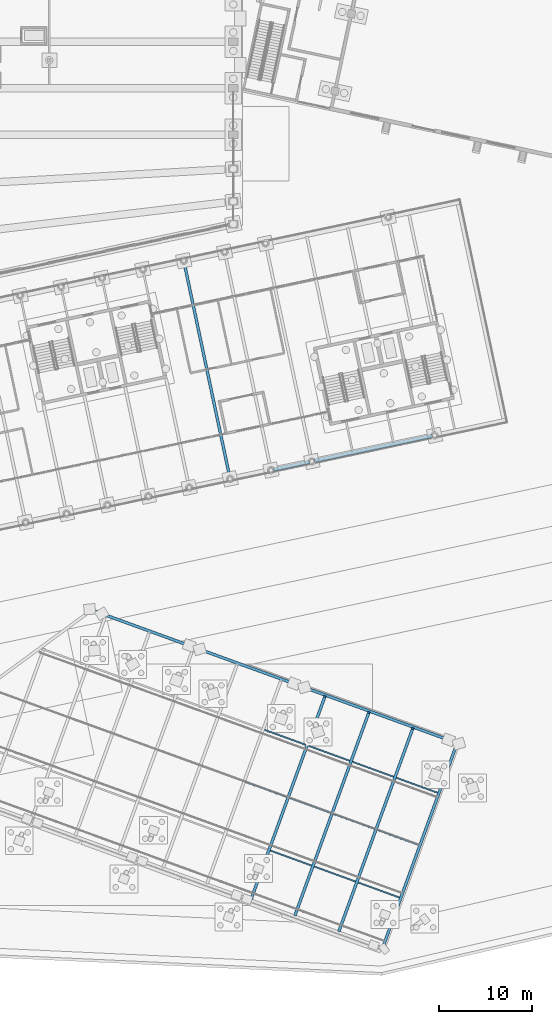
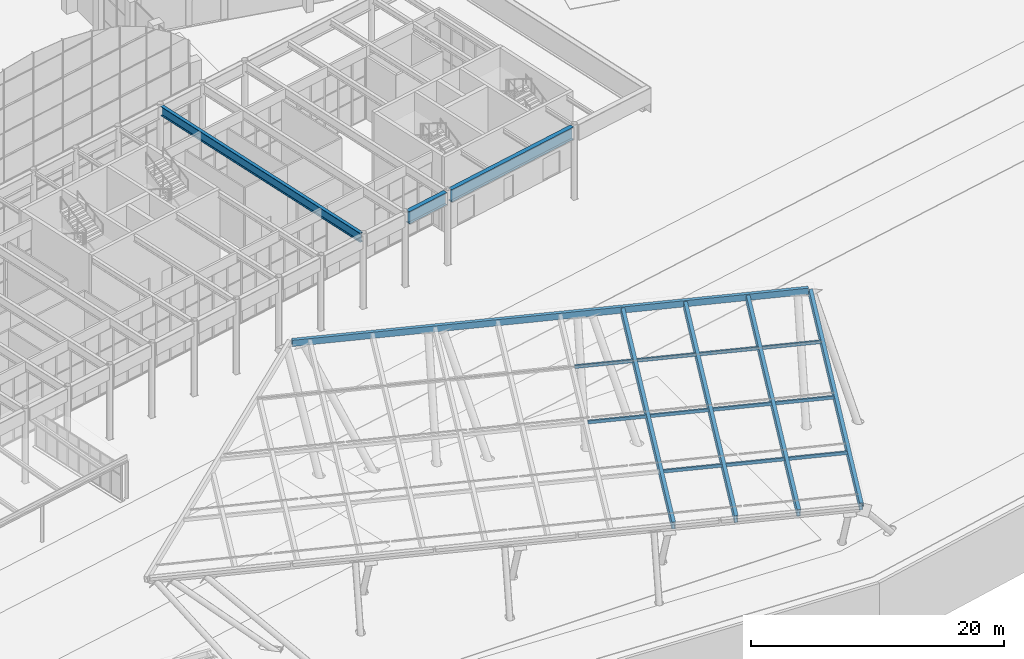
# One storey, part 97 of 239: 19 beams.
"""IFC4 building model written with IfcOpenShell, lengths in metres."""

from ifc_helpers import new_model, si_unit, direction, frame, origin, origin_2d, place, context, subcontext, project, spatial, hollow_rectangle, i_section, extrude, material, material_profile, profile_set, type_object, element, save


model = new_model("IFC4")

# Units and contexts
model_context = context("Model", 3, precision=1e-05, world=origin(), true_north=direction((0.0, 1.0)))
body_context = subcontext(model_context, "Body", "Model", "MODEL_VIEW")
ifc_project = project(units=[si_unit("LENGTHUNIT", "METRE"), si_unit("AREAUNIT", "SQUARE_METRE"), si_unit("VOLUMEUNIT", "CUBIC_METRE"), si_unit("PLANEANGLEUNIT", "RADIAN"), si_unit("MASSUNIT", "GRAM", prefix="KILO")], contexts=[model_context])

# Site, building, storey
site_placement = place(None, origin())
site = spatial("IfcSite", under=ifc_project, at=site_placement, CompositionType="ELEMENT")
building_placement = place(site_placement, origin())
building = spatial("IfcBuilding", under=site, at=building_placement, Name="Okhra Congress Centre", CompositionType="ELEMENT")
storey_placement = place(building_placement, origin())
storey = spatial("IfcBuildingStorey", under=building, at=storey_placement, Name="L00", CompositionType="ELEMENT", Elevation=0.0)

# Beams
ifc_material_1 = material(Name="Steel S355J2H", Category="steel")
ifc_material_profile_1 = material_profile(ifc_material_1, hollow_rectangle(XDim=0.300048828125, YDim=0.60009765625, WallThickness=0.01611328125, at=origin_2d()), Name="RHS 600x300x16")
ifc_profile_set_1 = profile_set([ifc_material_profile_1], Name="Steel S355J2H")
beam_type_1 = type_object("IfcBeamType", Name="Canopy edge beam RHS 600x300x16", PredefinedType="BEAM", material=ifc_profile_set_1)
beam_1_placement = place(storey_placement, frame((173.95556640625, 39.750244140625, 10.299560546875), z_axis=(0.939692228926, -0.342021219949, 0.0), x_axis=(0.342021219949, 0.939692228926, 0.0)))
element("IfcBeam", 1, at=beam_1_placement, inside=storey, type_object=beam_type_1, Name="Entrance canopy edge beam N", PredefinedType="BEAM", context=body_context, shape_type="SweptSolid", body=[
    extrude(hollow_rectangle(XDim=0.300048828125, YDim=0.60009765625, WallThickness=0.01611328125, at=origin_2d()), origin(), (0.0, 0.0, 1.0), 41.50634765625),
])
ifc_material_profile_2 = material_profile(ifc_material_1, hollow_rectangle(XDim=0.300048828125, YDim=0.800048828125, WallThickness=0.02001953125, at=origin_2d()), Name="RHS 800x300x20")
ifc_profile_set_2 = profile_set([ifc_material_profile_2], Name="Steel S355J2H")
beam_type_2 = type_object("IfcBeamType", Name="Canopy primary beam RHS 800x300x20", PredefinedType="BEAM", material=ifc_profile_set_2)
for number, where, z_axis, x_axis, name in (
    (2, (190.934814453125, 8.732421875, 5.47314453125), (0.335153265181, 0.920827738927, 0.199370419225), (-0.93969282501, 0.342019582225, 0.0), "Entrance canopy primary beam 8"),
    (3, (195.662109375, 7.01171875, 5.47314453125), (0.335153265181, 0.920827738927, 0.199370419225), (-0.93969282501, 0.342019582225, 0.0), "Entrance canopy primary beam 9"),
):
    element("IfcBeam", number, at=place(storey_placement, frame(where, z_axis=z_axis, x_axis=x_axis)), inside=storey, type_object=beam_type_2, Name=name, PredefinedType="BEAM", context=body_context, shape_type="SweptSolid", body=[
        extrude(hollow_rectangle(XDim=0.300048828125, YDim=0.800048828125, WallThickness=0.02001953125, at=origin_2d()), origin(), (0.0, 0.0, 1.0), 23.65478515625),
    ])
beam_2_placement = place(storey_placement, frame((200.3896484375, 5.291015625, 5.47314453125), z_axis=(0.335150079963, 0.920829308481, 0.199368524456), x_axis=(-0.939694057048, 0.342016197204, 0.0)))
element("IfcBeam", 4, at=beam_2_placement, inside=storey, type_object=beam_type_2, Name="Entrance canopy primary beam 10", PredefinedType="BEAM", context=body_context, shape_type="SweptSolid", body=[
    extrude(hollow_rectangle(XDim=0.300048828125, YDim=0.800048828125, WallThickness=0.02001953125, at=origin_2d()), origin(), (0.0, 0.0, 1.0), 23.655029296875),
])
beam_3_placement = place(storey_placement, frame((205.116943359375, 3.570556640625, 5.47314453125), z_axis=(0.335153265181, 0.920827738927, 0.199370419225), x_axis=(-0.93969282501, 0.342019582225, 0.0)))
element("IfcBeam", 5, at=beam_3_placement, inside=storey, type_object=beam_type_2, Name="Entrance canopy primary beam 11", PredefinedType="BEAM", context=body_context, shape_type="SweptSolid", body=[
    extrude(hollow_rectangle(XDim=0.300048828125, YDim=0.800048828125, WallThickness=0.02001953125, at=origin_2d()), origin(), (0.0, 0.0, 1.0), 23.65478515625),
])
ifc_material_profile_3 = material_profile(ifc_material_1, hollow_rectangle(XDim=0.14990234375, YDim=0.300048828125, WallThickness=0.008056640625, at=origin_2d()), Name="RHS 300x150x8")
ifc_profile_set_3 = profile_set([ifc_material_profile_3], Name="Steel S355J2H")
beam_type_3 = type_object("IfcBeamType", Name="Canopy secondary beam RHS 300x150x8", PredefinedType="BEAM", material=ifc_profile_set_3)
beam_4_placement = place(storey_placement, frame((192.9970703125, 13.930419921875, 6.853515625), z_axis=(0.939701086749, -0.341996882388, 0.0), x_axis=(0.341996882388, 0.939701086749, 0.0)))
element("IfcBeam", 6, at=beam_4_placement, inside=storey, type_object=beam_type_3, Name="Entrance canopy secondary beam 9", PredefinedType="BEAM", context=body_context, shape_type="SweptSolid", body=[
    extrude(hollow_rectangle(XDim=0.14990234375, YDim=0.300048828125, WallThickness=0.008056640625, at=origin_2d()), origin(), (0.0, 0.0, 1.0), 4.710693359375),
])
beam_5_placement = place(storey_placement, frame((197.724365234375, 12.2099609375, 6.853515625), z_axis=(0.939684430498, -0.342042645118, 0.0), x_axis=(0.342042645118, 0.939684430498, 0.0)))
element("IfcBeam", 7, at=beam_5_placement, inside=storey, type_object=beam_type_3, Name="Entrance canopy secondary beam 10", PredefinedType="BEAM", context=body_context, shape_type="SweptSolid", body=[
    extrude(hollow_rectangle(XDim=0.14990234375, YDim=0.300048828125, WallThickness=0.008056640625, at=origin_2d()), origin(), (0.0, 0.0, 1.0), 4.7109375),
])
beam_6_placement = place(storey_placement, frame((202.451904296875, 10.4892578125, 6.853515625), z_axis=(0.939695024692, -0.342013538577, 0.0), x_axis=(0.342013538577, 0.939695024692, 0.0)))
element("IfcBeam", 8, at=beam_6_placement, inside=storey, type_object=beam_type_3, Name="Entrance canopy secondary beam 11", PredefinedType="BEAM", context=body_context, shape_type="SweptSolid", body=[
    extrude(hollow_rectangle(XDim=0.14990234375, YDim=0.300048828125, WallThickness=0.008056640625, at=origin_2d()), origin(), (0.0, 0.0, 1.0), 4.710693359375),
])
beam_7_placement = place(storey_placement, frame((190.32177734375, 21.289306640625, 8.07421875), z_axis=(0.939684430498, -0.342042645118, 0.0), x_axis=(0.342042645118, 0.939684430498, 0.0)))
element("IfcBeam", 9, at=beam_7_placement, inside=storey, type_object=beam_type_3, Name="Entrance canopy secondary beam 18", PredefinedType="BEAM", context=body_context, shape_type="SweptSolid", body=[
    extrude(hollow_rectangle(XDim=0.14990234375, YDim=0.300048828125, WallThickness=0.008056640625, at=origin_2d()), origin(), (0.0, 0.0, 1.0), 4.7109375),
])
for number, where, z_axis, x_axis, name in (
    (10, (195.049072265625, 19.568603515625, 8.07421875), (0.939701086749, -0.341996882388, 0.0), (0.341996882388, 0.939701086749, 0.0), "Entrance canopy secondary beam 19"),
    (11, (199.776611328125, 17.847900390625, 8.07421875), (0.939695024692, -0.342013538577, 0.0), (0.342013538577, 0.939695024692, 0.0), "Entrance canopy secondary beam 20"),
):
    element("IfcBeam", number, at=place(storey_placement, frame(where, z_axis=z_axis, x_axis=x_axis)), inside=storey, type_object=beam_type_3, Name=name, PredefinedType="BEAM", context=body_context, shape_type="SweptSolid", body=[
        extrude(hollow_rectangle(XDim=0.14990234375, YDim=0.300048828125, WallThickness=0.008056640625, at=origin_2d()), origin(), (0.0, 0.0, 1.0), 4.710693359375),
    ])
beam_8_placement = place(storey_placement, frame((204.50390625, 16.12744140625, 8.07421875), z_axis=(0.939684430498, -0.342042645118, 0.0), x_axis=(0.342042645118, 0.939684430498, 0.0)))
element("IfcBeam", 12, at=beam_8_placement, inside=storey, type_object=beam_type_3, Name="Entrance canopy secondary beam 21", PredefinedType="BEAM", context=body_context, shape_type="SweptSolid", body=[
    extrude(hollow_rectangle(XDim=0.14990234375, YDim=0.300048828125, WallThickness=0.008056640625, at=origin_2d()), origin(), (0.0, 0.0, 1.0), 4.7109375),
])
for number, where, z_axis, x_axis, name in (
    (13, (192.3740234375, 26.927490234375, 9.294921875), (0.939678366926, -0.342059302946, 0.0), (0.342059302946, 0.939678366926, 0.0), "Entrance canopy secondary beam 27"),
    (14, (197.101318359375, 25.206787109375, 9.294921875), (0.939701086749, -0.341996882388, 0.0), (0.341996882388, 0.939701086749, 0.0), "Entrance canopy secondary beam 28"),
    (15, (201.82861328125, 23.486083984375, 9.294921875), (0.939701086749, -0.341996882388, 0.0), (0.341996882388, 0.939701086749, 0.0), "Entrance canopy secondary beam 29"),
    (16, (206.55615234375, 21.765625, 9.294921875), (0.939678366926, -0.342059302946, 0.0), (0.342059302946, 0.939678366926, 0.0), "Entrance canopy secondary beam 30"),
):
    element("IfcBeam", number, at=place(storey_placement, frame(where, z_axis=z_axis, x_axis=x_axis)), inside=storey, type_object=beam_type_3, Name=name, PredefinedType="BEAM", context=body_context, shape_type="SweptSolid", body=[
        extrude(hollow_rectangle(XDim=0.14990234375, YDim=0.300048828125, WallThickness=0.008056640625, at=origin_2d()), origin(), (0.0, 0.0, 1.0), 4.710693359375),
    ])
ifc_material_2 = material(Name="Steel S355J2", Category="steel")
ifc_material_profile_4 = material_profile(ifc_material_2, i_section(OverallWidth=0.300048828125, OverallDepth=0.89990234375, WebThickness=0.0185546875, FlangeThickness=0.034912109375, FilletRadius=0.030029296875, at=origin_2d()), Name="HE 900 B")
ifc_profile_set_4 = profile_set([ifc_material_profile_4], Name="Steel S355J2")
beam_type_4 = type_object("IfcBeamType", Name="Floor beam HE 900 B", PredefinedType="BEAM", material=ifc_profile_set_4)
beam_9_placement = place(storey_placement, frame((188.61767578125, 54.137451171875, 6.60009765625), z_axis=(-0.20791307081, 0.978147307406, 0.0), x_axis=(-0.978147307406, -0.20791307081, 0.0)))
element("IfcBeam", 17, at=beam_9_placement, inside=storey, type_object=beam_type_4, Name="Floor beam 29.1", PredefinedType="BEAM", context=body_context, shape_type="SweptSolid", body=[
    extrude(i_section(OverallWidth=0.300048828125, OverallDepth=0.89990234375, WebThickness=0.0185546875, FlangeThickness=0.034912109375, FilletRadius=0.030029296875, at=origin_2d()), origin(), (0.0, 0.0, 1.0), 23.599853515625),
])
ifc_material_profile_5 = material_profile(ifc_material_2, i_section(OverallWidth=0.39990234375, OverallDepth=1.199951171875, WebThickness=0.02490234375, FlangeThickness=0.050048828125, at=origin_2d()), Name="Plate girder 1200x400")
ifc_profile_set_5 = profile_set([ifc_material_profile_5], Name="Steel S355J2")
beam_type_5 = type_object("IfcBeamType", Name="Perimeter plate girder 1200x400", PredefinedType="BEAM", material=ifc_profile_set_5)
beam_10_placement = place(storey_placement, frame((193.309326171875, 54.93017578125, 6.449951171875), z_axis=(0.978155431297, 0.207874847504, 0.0), x_axis=(-0.207874847504, 0.978155431297, 0.0)))
element("IfcBeam", 18, at=beam_10_placement, inside=storey, type_object=beam_type_5, Name="Perimeter girder S28", PredefinedType="BEAM", context=body_context, shape_type="SweptSolid", body=[
    extrude(i_section(OverallWidth=0.39990234375, OverallDepth=1.199951171875, WebThickness=0.02490234375, FlangeThickness=0.050048828125, at=origin_2d()), origin(), (0.0, 0.0, 1.0), 3.991943359375),
])
beam_11_placement = place(storey_placement, frame((197.7109375, 55.86572265625, 6.449951171875), z_axis=(0.978148390664, 0.207907974455, 0.0), x_axis=(-0.207907974455, 0.978148390664, 0.0)))
element("IfcBeam", 19, at=beam_11_placement, inside=storey, type_object=beam_type_5, Name="Perimeter girder S29", PredefinedType="BEAM", context=body_context, shape_type="SweptSolid", body=[
    extrude(i_section(OverallWidth=0.39990234375, OverallDepth=1.199951171875, WebThickness=0.02490234375, FlangeThickness=0.050048828125, at=origin_2d()), origin(), (0.0, 0.0, 1.0), 12.9921875),
])

save(model, "model.ifc")
